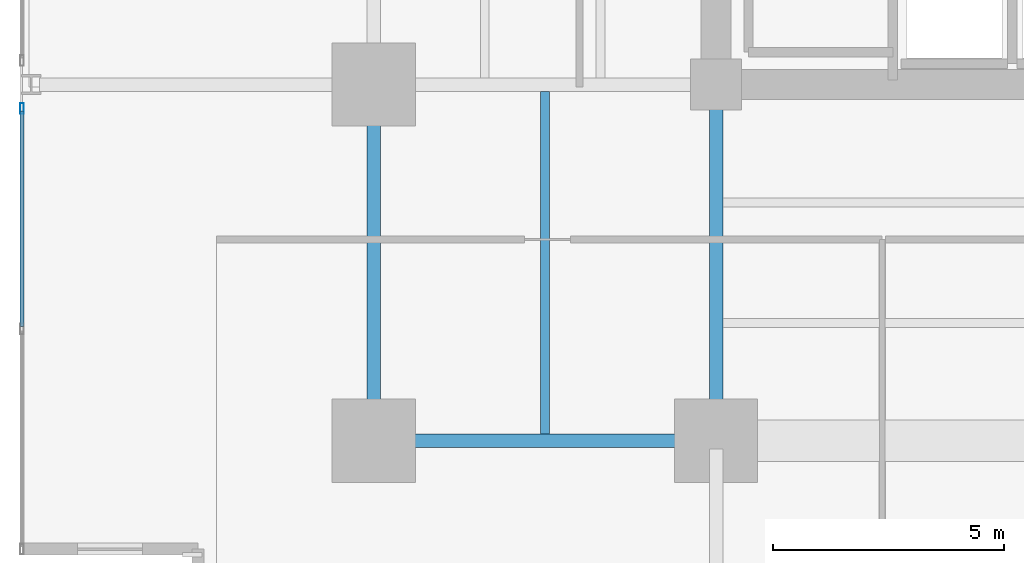
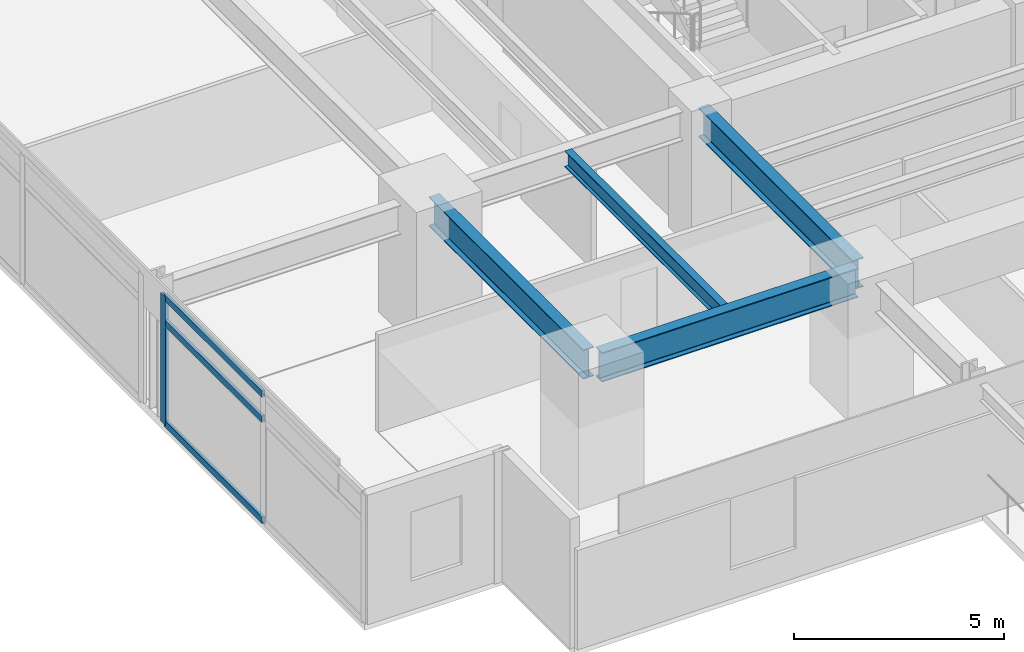
# One storey, part 3 of 25: 4 beams, 4 members, 1 element without a shape of its own.
"""IFC4 building model written with IfcOpenShell, lengths in metres."""

from ifc_helpers import new_model, si_unit, direction, frame, origin, origin_2d, place, context, subcontext, project, spatial, hollow_rectangle, i_section, extrude, material, material_profile, profile_set, type_object, element, aggregate, save


model = new_model("IFC4")

# Units and contexts
model_context = context("Model", 3, precision=1e-05, world=origin(), true_north=direction((0.0, 1.0)))
body_context = subcontext(model_context, "Body", "Model", "MODEL_VIEW")
ifc_project = project(units=[si_unit("LENGTHUNIT", "METRE"), si_unit("AREAUNIT", "SQUARE_METRE"), si_unit("VOLUMEUNIT", "CUBIC_METRE"), si_unit("PLANEANGLEUNIT", "RADIAN"), si_unit("MASSUNIT", "GRAM", prefix="KILO")], contexts=[model_context])

# Site, building, storey
site_placement = place(None, origin())
site = spatial("IfcSite", under=ifc_project, at=site_placement, CompositionType="ELEMENT")
building_placement = place(site_placement, origin())
building = spatial("IfcBuilding", under=site, at=building_placement, Name="Kovane Verandah Tower", CompositionType="ELEMENT")
storey_placement = place(building_placement, frame((0.0, 0.0, 67.60009765625)))
storey = spatial("IfcBuildingStorey", under=building, at=storey_placement, Name="L15", CompositionType="ELEMENT", Elevation=67.60009765625)

# Beams
ifc_material_1 = material(Name="Steel S355", Category="steel")
ifc_material_profile_1 = material_profile(ifc_material_1, i_section(OverallWidth=0.293701171875, OverallDepth=0.850830078125, WebThickness=0.01611328125, FlangeThickness=0.02685546875, FilletRadius=0.017822265625, at=origin_2d()), Name="UB838x292x226")
ifc_profile_set_1 = profile_set([ifc_material_profile_1], Name="Steel S355")
beam_type_1 = type_object("IfcBeamType", Name="BM-UB838x226", PredefinedType="BEAM", material=ifc_profile_set_1)
beam_1_placement = place(storey_placement, frame((21.780029296875, 10.800048828125, 3.33447265625), z_axis=(1.0, 0.0, 0.0), x_axis=(0.0, 1.0, 0.0)))
element("IfcBeam", 1, at=beam_1_placement, inside=storey, type_object=beam_type_1, Name="L15 Primary Tower Girder G-RS1", PredefinedType="BEAM", context=body_context, shape_type="SweptSolid", body=[
    extrude(i_section(OverallWidth=0.293701171875, OverallDepth=0.850830078125, WebThickness=0.01611328125, FlangeThickness=0.02685546875, FilletRadius=0.017822265625, at=origin_2d()), origin(), (0.0, 0.0, 1.0), 7.0400390625),
])
for number, where, z_axis, x_axis, name in (
    (2, (21.60009765625, 10.97998046875, 3.33447265625), (0.0, 1.0, 0.0), (-1.0, 0.0, 0.0), "L15 Primary Tower Girder G-RW1"),
    (3, (29.0, 18.320068359375, 3.33447265625), (0.0, -1.0, 0.0), (1.0, 0.0, 0.0), "L15 Primary Tower Girder G-S1"),
):
    element("IfcBeam", number, at=place(storey_placement, frame(where, z_axis=z_axis, x_axis=x_axis)), inside=storey, type_object=beam_type_1, Name=name, PredefinedType="BEAM", context=body_context, shape_type="SweptSolid", body=[
        extrude(i_section(OverallWidth=0.293701171875, OverallDepth=0.850830078125, WebThickness=0.01611328125, FlangeThickness=0.02685546875, FilletRadius=0.017822265625, at=origin_2d()), origin(), (0.0, 0.0, 1.0), 7.340087890625),
    ])

# Curtain wall, members
ifc_material_2 = material(Name="Champagne Anodised Aluminium Frame with Low-E Clear Laminated Glass", Category="aluminium")
curtain_wall_type = type_object("IfcCurtainWallType", Name="CW-SYS-02-LOW", PredefinedType="NOTDEFINED", material=ifc_material_2)
curtain_wall_placement = place(storey_placement, origin())
curtain_wall = element("IfcCurtainWall", 4, at=curtain_wall_placement, inside=storey, type_object=curtain_wall_type, Name="L15 W Unitised Curtain Wall-3", PredefinedType="NOTDEFINED")
ifc_material_3 = material(Name="Champagne Anodised Aluminium 6063-T6", Category="aluminium")
ifc_material_profile_2 = material_profile(ifc_material_3, hollow_rectangle(XDim=0.0849609375, YDim=0.22998046875, WallThickness=0.00390625, at=origin_2d()), Name="AL85x230x4")
ifc_profile_set_2 = profile_set([ifc_material_profile_2], Name="Champagne Anodised Aluminium 6063-T6")
member_type_1 = type_object("IfcMemberType", Name="CW-MUL-85x230", PredefinedType="MULLION", material=ifc_profile_set_2)
member_1_placement = place(storey_placement, frame((13.998779296875, 17.97998046875, 0.02001953125), z_axis=(0.0, 0.0, 1.0), x_axis=(-1.0, 0.0, 0.0)))
member_1 = element("IfcMember", 5, at=member_1_placement, type_object=member_type_1, Name="L15 W Unitised Curtain Wall-3 Mullion 1", PredefinedType="MULLION", context=body_context, shape_type="SweptSolid", body=[
    extrude(hollow_rectangle(XDim=0.0849609375, YDim=0.22998046875, WallThickness=0.00390625, at=origin_2d()), origin(), (0.0, 0.0, 1.0), 3.719970703125),
])
ifc_material_profile_3 = material_profile(ifc_material_3, hollow_rectangle(XDim=0.0849609375, YDim=0.18994140625, WallThickness=0.00390625, at=origin_2d()), Name="AL85x190x4")
ifc_profile_set_3 = profile_set([ifc_material_profile_3], Name="Champagne Anodised Aluminium 6063-T6")
member_type_2 = type_object("IfcMemberType", Name="CW-TRN-85x190", PredefinedType="USERDEFINED", material=ifc_profile_set_3)
member_2_placement = place(storey_placement, frame((13.998779296875, 17.929931640625, 0.0498046875), z_axis=(0.0, -1.0, 0.0), x_axis=(1.0, 0.0, 0.0)))
member_2 = element("IfcMember", 6, at=member_2_placement, type_object=member_type_2, Name="L15 W Unitised Curtain Wall-3 Transom TB Bay 1", ObjectType="TRANSOM", PredefinedType="USERDEFINED", context=body_context, shape_type="SweptSolid", body=[
    extrude(hollow_rectangle(XDim=0.0849609375, YDim=0.18994140625, WallThickness=0.00390625, at=origin_2d()), origin(), (0.0, 0.0, 1.0), 4.660400390625),
])
member_3_placement = place(storey_placement, frame((13.998779296875, 17.929931640625, 2.97998046875), z_axis=(0.0, -1.0, 0.0), x_axis=(1.0, 0.0, 0.0)))
member_3 = element("IfcMember", 7, at=member_3_placement, type_object=member_type_2, Name="L15 W Unitised Curtain Wall-3 Transom TM Bay 1", ObjectType="TRANSOM", PredefinedType="USERDEFINED", context=body_context, shape_type="SweptSolid", body=[
    extrude(hollow_rectangle(XDim=0.0849609375, YDim=0.18994140625, WallThickness=0.00390625, at=origin_2d()), origin(), (0.0, 0.0, 1.0), 4.660400390625),
])
member_4_placement = place(storey_placement, frame((13.998779296875, 17.929931640625, 3.7099609375), z_axis=(0.0, -1.0, 0.0), x_axis=(1.0, 0.0, 0.0)))
member_4 = element("IfcMember", 8, at=member_4_placement, type_object=member_type_2, Name="L15 W Unitised Curtain Wall-3 Transom TT Bay 1", ObjectType="TRANSOM", PredefinedType="USERDEFINED", context=body_context, shape_type="SweptSolid", body=[
    extrude(hollow_rectangle(XDim=0.0849609375, YDim=0.18994140625, WallThickness=0.00390625, at=origin_2d()), origin(), (0.0, 0.0, 1.0), 4.660400390625),
])
aggregate(curtain_wall, [member_1, member_2, member_3, member_4])

# Beam
ifc_material_profile_4 = material_profile(ifc_material_1, i_section(OverallWidth=0.19287109375, OverallDepth=0.46728515625, WebThickness=0.011474609375, FlangeThickness=0.01953125, FilletRadius=0.01025390625, at=origin_2d()), Name="UB457x191x98")
ifc_profile_set_4 = profile_set([ifc_material_profile_4], Name="Steel S355")
beam_type_2 = type_object("IfcBeamType", Name="JST-UB457x98", PredefinedType="JOIST", material=ifc_profile_set_4)
beam_2_placement = place(storey_placement, frame((25.300048828125, 10.94482421875, 3.5263671875), z_axis=(0.0, 1.0, 0.0), x_axis=(-1.0, 0.0, 0.0)))
element("IfcBeam", 9, at=beam_2_placement, inside=storey, type_object=beam_type_2, Name="L15 Secondary Composite Joist J-SW1", PredefinedType="JOIST", context=body_context, shape_type="SweptSolid", body=[
    extrude(i_section(OverallWidth=0.19287109375, OverallDepth=0.46728515625, WebThickness=0.011474609375, FlangeThickness=0.01953125, FilletRadius=0.01025390625, at=origin_2d()), origin(), (0.0, 0.0, 1.0), 7.41015625),
])

save(model, "model.ifc")
